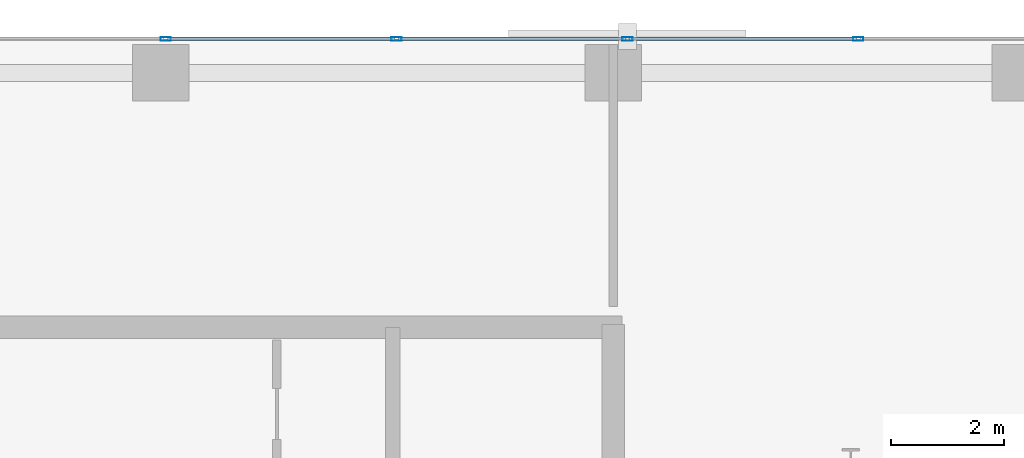
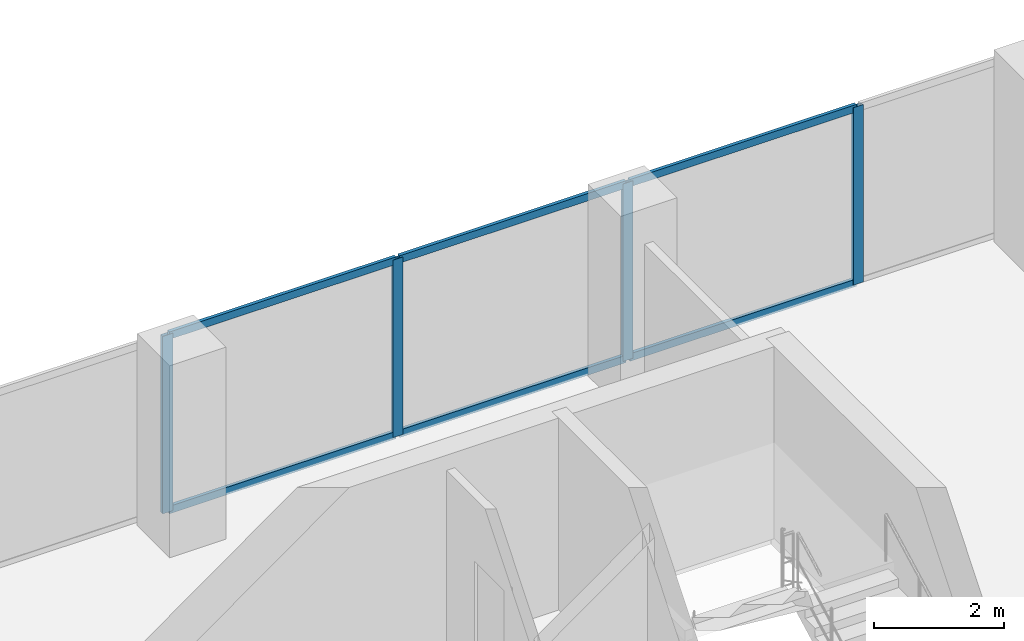
# One storey, part 24 of 31: 10 members, 1 element without a shape of its own.
"""IFC4 building model written with IfcOpenShell, lengths in metres."""

from ifc_helpers import new_model, si_unit, direction, frame, origin, origin_2d, place, context, subcontext, project, spatial, hollow_rectangle, extrude, material, layer, layer_set, material_profile, profile_set, type_object, element, aggregate, save


model = new_model("IFC4")

# Units and contexts
model_context = context("Model", 3, precision=1e-05, world=origin(), true_north=direction((0.0, 1.0)))
body_context = subcontext(model_context, "Body", "Model", "MODEL_VIEW")
ifc_project = project(units=[si_unit("LENGTHUNIT", "METRE"), si_unit("AREAUNIT", "SQUARE_METRE"), si_unit("VOLUMEUNIT", "CUBIC_METRE"), si_unit("PLANEANGLEUNIT", "RADIAN"), si_unit("MASSUNIT", "GRAM", prefix="KILO")], contexts=[model_context])

# Site, building, storey
site_placement = place(None, origin())
site = spatial("IfcSite", under=ifc_project, at=site_placement, CompositionType="ELEMENT")
building_placement = place(site_placement, origin())
building = spatial("IfcBuilding", under=site, at=building_placement, Name="Catumbela Crestline Tower", CompositionType="ELEMENT")
storey_placement = place(building_placement, frame((0.0, 0.0, 40.2)))
storey = spatial("IfcBuildingStorey", under=building, at=storey_placement, Name="L09", CompositionType="ELEMENT", Elevation=40.2)

# Curtain wall, members
ifc_material = material(Name="Aluminium alloy AW-6060-T66", Category="aluminium")
ifc_layer = layer(ifc_material, 0.18, Name="Aluminium alloy AW-6060-T66")
ifc_layer_set = layer_set([ifc_layer], Name="Aluminium alloy AW-6060-T66")
curtain_wall_type = type_object("IfcCurtainWallType", Name="CWU-Z1", PredefinedType="USERDEFINED", material=ifc_layer_set)
curtain_wall_placement = place(storey_placement, origin())
curtain_wall = element("IfcCurtainWall", 1, at=curtain_wall_placement, inside=storey, type_object=curtain_wall_type, Name="L09 Unitised Curtain Wall CW-L09-E7S1", ObjectType="UNITISED", PredefinedType="USERDEFINED")
ifc_material_profile_1 = material_profile(ifc_material, hollow_rectangle(XDim=0.065, YDim=0.18, WallThickness=0.004, at=origin_2d()), Name="ALU 180x65x4")
ifc_profile_set_1 = profile_set([ifc_material_profile_1], Name="Aluminium alloy AW-6060-T66")
member_type_1 = type_object("IfcMemberType", Name="MUL-180X65", PredefinedType="MULLION", material=ifc_profile_set_1)
member_1_placement = place(storey_placement, frame((44.3333, 48.0, 0.0), z_axis=(0.0, 0.0, 1.0), x_axis=(0.0, -1.0, 0.0)))
member_1 = element("IfcMember", 2, at=member_1_placement, type_object=member_type_1, Name="CWU-Z1 mullion 3", PredefinedType="MULLION", context=body_context, shape_type="SweptSolid", body=[
    extrude(hollow_rectangle(XDim=0.065, YDim=0.18, WallThickness=0.004, at=origin_2d()), origin(), (0.0, 0.0, 1.0), 3.33),
])
member_2_placement = place(storey_placement, frame((40.25, 48.0, 0.0), z_axis=(0.0, 0.0, 1.0), x_axis=(0.0, -1.0, 0.0)))
member_2 = element("IfcMember", 3, at=member_2_placement, type_object=member_type_1, Name="CWU-Z1 mullion 4", PredefinedType="MULLION", context=body_context, shape_type="SweptSolid", body=[
    extrude(hollow_rectangle(XDim=0.065, YDim=0.18, WallThickness=0.004, at=origin_2d()), origin(), (0.0, 0.0, 1.0), 3.33),
])
member_3_placement = place(storey_placement, frame((36.1667, 48.0, 0.0), z_axis=(0.0, 0.0, 1.0), x_axis=(0.0, -1.0, 0.0)))
member_3 = element("IfcMember", 4, at=member_3_placement, type_object=member_type_1, Name="CWU-Z1 mullion 5", PredefinedType="MULLION", context=body_context, shape_type="SweptSolid", body=[
    extrude(hollow_rectangle(XDim=0.065, YDim=0.18, WallThickness=0.004, at=origin_2d()), origin(), (0.0, 0.0, 1.0), 3.33),
])
member_4_placement = place(storey_placement, frame((32.0833, 48.0, 0.0), z_axis=(0.0, 0.0, 1.0), x_axis=(0.0, -1.0, 0.0)))
member_4 = element("IfcMember", 5, at=member_4_placement, type_object=member_type_1, Name="CWU-Z1 mullion 6", PredefinedType="MULLION", context=body_context, shape_type="SweptSolid", body=[
    extrude(hollow_rectangle(XDim=0.065, YDim=0.18, WallThickness=0.004, at=origin_2d()), origin(), (0.0, 0.0, 1.0), 3.33),
])
ifc_material_profile_2 = material_profile(ifc_material, hollow_rectangle(XDim=0.06, YDim=0.14, WallThickness=0.004, at=origin_2d()), Name="ALU 140x60x4")
ifc_profile_set_2 = profile_set([ifc_material_profile_2], Name="Aluminium alloy AW-6060-T66")
member_type_2 = type_object("IfcMemberType", Name="TRN-140X60", PredefinedType="USERDEFINED", material=ifc_profile_set_2)
member_5_placement = place(storey_placement, frame((44.3008, 48.0, 0.03), z_axis=(-1.0, 0.0, 0.0), x_axis=(0.0, -1.0, 0.0)))
member_5 = element("IfcMember", 6, at=member_5_placement, type_object=member_type_2, Name="CWU-Z1 transom 3.1", ObjectType="TRANSOM", PredefinedType="USERDEFINED", context=body_context, shape_type="SweptSolid", body=[
    extrude(hollow_rectangle(XDim=0.06, YDim=0.14, WallThickness=0.004, at=origin_2d()), origin(), (0.0, 0.0, 1.0), 4.0183),
])
member_6_placement = place(storey_placement, frame((44.3008, 48.0, 3.3), z_axis=(-1.0, 0.0, 0.0), x_axis=(0.0, -1.0, 0.0)))
member_6 = element("IfcMember", 7, at=member_6_placement, type_object=member_type_2, Name="CWU-Z1 transom 3.2", ObjectType="TRANSOM", PredefinedType="USERDEFINED", context=body_context, shape_type="SweptSolid", body=[
    extrude(hollow_rectangle(XDim=0.06, YDim=0.14, WallThickness=0.004, at=origin_2d()), origin(), (0.0, 0.0, 1.0), 4.0183),
])
member_7_placement = place(storey_placement, frame((40.2175, 48.0, 0.03), z_axis=(-1.0, 0.0, 0.0), x_axis=(0.0, -1.0, 0.0)))
member_7 = element("IfcMember", 8, at=member_7_placement, type_object=member_type_2, Name="CWU-Z1 transom 4.1", ObjectType="TRANSOM", PredefinedType="USERDEFINED", context=body_context, shape_type="SweptSolid", body=[
    extrude(hollow_rectangle(XDim=0.06, YDim=0.14, WallThickness=0.004, at=origin_2d()), origin(), (0.0, 0.0, 1.0), 4.0183),
])
member_8_placement = place(storey_placement, frame((40.2175, 48.0, 3.3), z_axis=(-1.0, 0.0, 0.0), x_axis=(0.0, -1.0, 0.0)))
member_8 = element("IfcMember", 9, at=member_8_placement, type_object=member_type_2, Name="CWU-Z1 transom 4.2", ObjectType="TRANSOM", PredefinedType="USERDEFINED", context=body_context, shape_type="SweptSolid", body=[
    extrude(hollow_rectangle(XDim=0.06, YDim=0.14, WallThickness=0.004, at=origin_2d()), origin(), (0.0, 0.0, 1.0), 4.0183),
])
member_9_placement = place(storey_placement, frame((36.1342, 48.0, 0.03), z_axis=(-1.0, 0.0, 0.0), x_axis=(0.0, -1.0, 0.0)))
member_9 = element("IfcMember", 10, at=member_9_placement, type_object=member_type_2, Name="CWU-Z1 transom 5.1", ObjectType="TRANSOM", PredefinedType="USERDEFINED", context=body_context, shape_type="SweptSolid", body=[
    extrude(hollow_rectangle(XDim=0.06, YDim=0.14, WallThickness=0.004, at=origin_2d()), origin(), (0.0, 0.0, 1.0), 4.0184),
])
member_10_placement = place(storey_placement, frame((36.1342, 48.0, 3.3), z_axis=(-1.0, 0.0, 0.0), x_axis=(0.0, -1.0, 0.0)))
member_10 = element("IfcMember", 11, at=member_10_placement, type_object=member_type_2, Name="CWU-Z1 transom 5.2", ObjectType="TRANSOM", PredefinedType="USERDEFINED", context=body_context, shape_type="SweptSolid", body=[
    extrude(hollow_rectangle(XDim=0.06, YDim=0.14, WallThickness=0.004, at=origin_2d()), origin(), (0.0, 0.0, 1.0), 4.0184),
])
aggregate(curtain_wall, [member_1, member_2, member_3, member_4, member_5, member_6, member_7, member_8, member_9, member_10])

save(model, "model.ifc")
